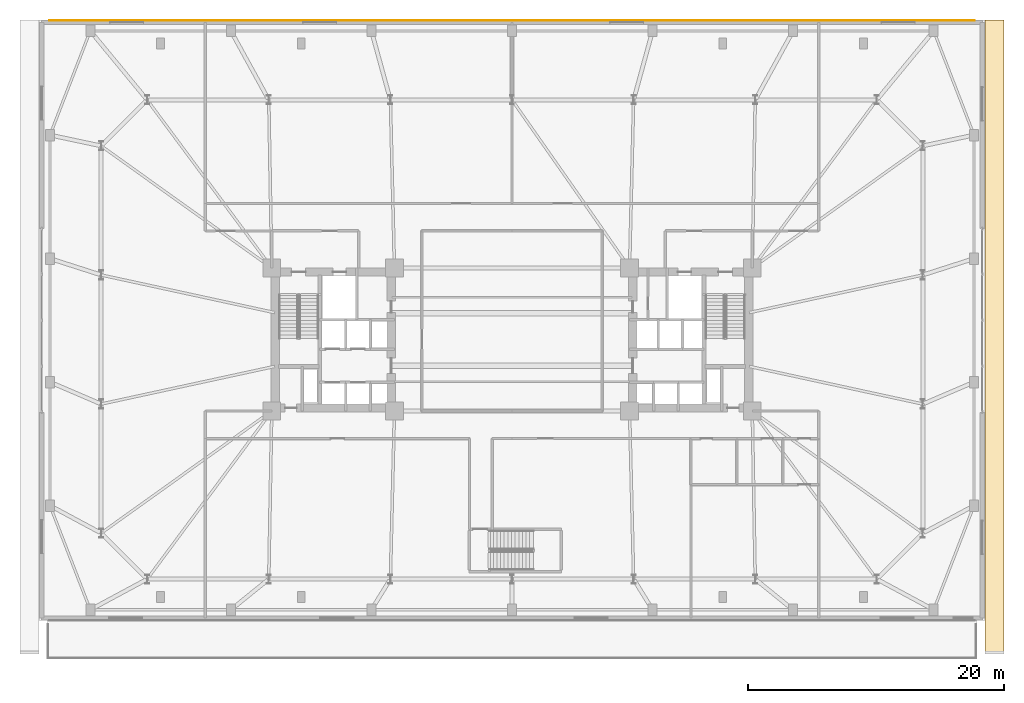
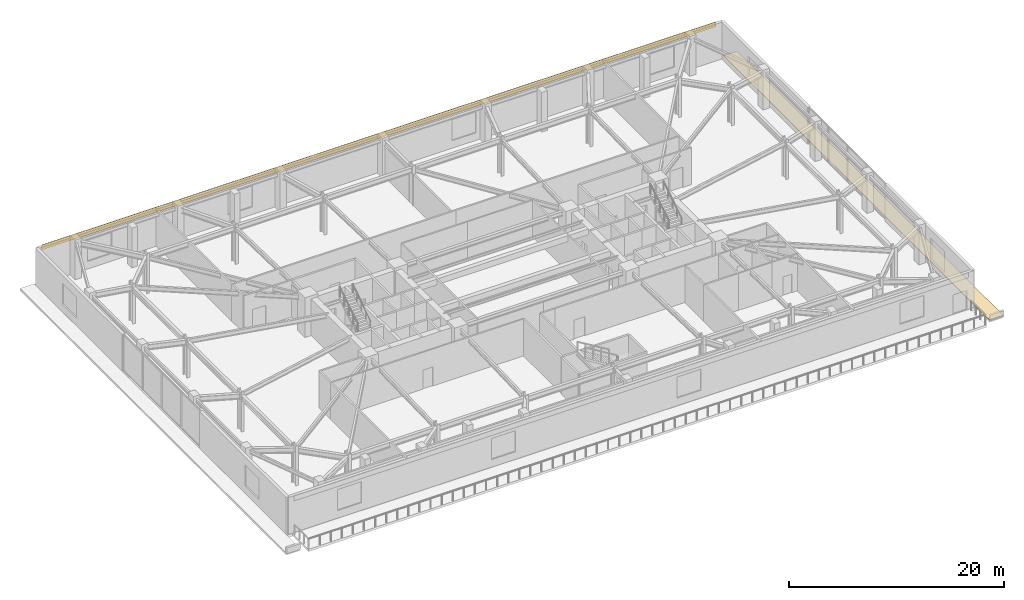
# One storey, part 21 of 21: 2 coverings.
"""IFC4 building model written with IfcOpenShell, lengths in metres."""

from ifc_helpers import new_model, si_unit, direction, frame, origin, place, context, subcontext, project, spatial, polyline, outline, extrude, material, layer, layer_set, type_object, element, save


model = new_model("IFC4")

# Units and contexts
model_context = context("Model", 3, precision=1e-05, world=origin(), true_north=direction((0.0, 1.0)))
body_context = subcontext(model_context, "Body", "Model", "MODEL_VIEW")
ifc_project = project(units=[si_unit("LENGTHUNIT", "METRE"), si_unit("AREAUNIT", "SQUARE_METRE"), si_unit("VOLUMEUNIT", "CUBIC_METRE"), si_unit("PLANEANGLEUNIT", "RADIAN"), si_unit("MASSUNIT", "GRAM", prefix="KILO")], contexts=[model_context])

# Site, building, storey
site_placement = place(None, origin())
site = spatial("IfcSite", under=ifc_project, at=site_placement, CompositionType="ELEMENT")
building_placement = place(site_placement, origin())
building = spatial("IfcBuilding", under=site, at=building_placement, Name="Qobustan Lattice House", CompositionType="ELEMENT")
storey_placement = place(building_placement, frame((0.0, 0.0, 13.5)))
storey = spatial("IfcBuildingStorey", under=building, at=storey_placement, Name="L03", CompositionType="ELEMENT", Elevation=13.5)

# Coverings
ifc_material_1 = material(Name="Insulated stone-ballasted roof membrane", Category="masonry")
ifc_layer_1 = layer(ifc_material_1, 0.050048828125)
ifc_layer_set_1 = layer_set([ifc_layer_1], Name="Insulated stone-ballasted roof membrane")
covering_type_1 = type_object("IfcCoveringType", Name="COV-ROOF-MEMB", PredefinedType="ROOFING", material=ifc_layer_set_1)
covering_1_placement = place(storey_placement, origin())
element("IfcCovering", 1, at=covering_1_placement, inside=storey, type_object=covering_type_1, Name="L03 setback roof membrane 2", PredefinedType="ROOFING", context=body_context, shape_type="SweptSolid", body=[
    extrude(outline(polyline([(37.0, -24.5), (38.5, -24.5), (38.5, 25.0), (37.0, 25.0), (37.0, -24.5)])), origin(), (0.0, 0.0, 1.0), 0.050048828125),
])
ifc_material_2 = material(Name="Qobustan buff limestone cladding", Category="masonry")
ifc_layer_2 = layer(ifc_material_2, 0.044921875)
ifc_layer_set_2 = layer_set([ifc_layer_2], Name="Qobustan buff limestone cladding")
covering_type_2 = type_object("IfcCoveringType", Name="COV-STONE-CLAD", PredefinedType="CLADDING", material=ifc_layer_set_2)
covering_2_placement = place(storey_placement, frame((0.0, 0.0, 3.6201171875)))
element("IfcCovering", 2, at=covering_2_placement, inside=storey, type_object=covering_type_2, Name="L03 N Qobustan limestone cornice band", PredefinedType="CLADDING", context=body_context, shape_type="SweptSolid", body=[
    extrude(outline(polyline([(-36.199951171875, 24.9580078125), (-36.199951171875, 25.0029296875), (36.199951171875, 25.0029296875), (36.199951171875, 24.9580078125), (-36.199951171875, 24.9580078125)])), origin(), (0.0, 0.0, 1.0), 0.5498046875),
])

save(model, "model.ifc")
